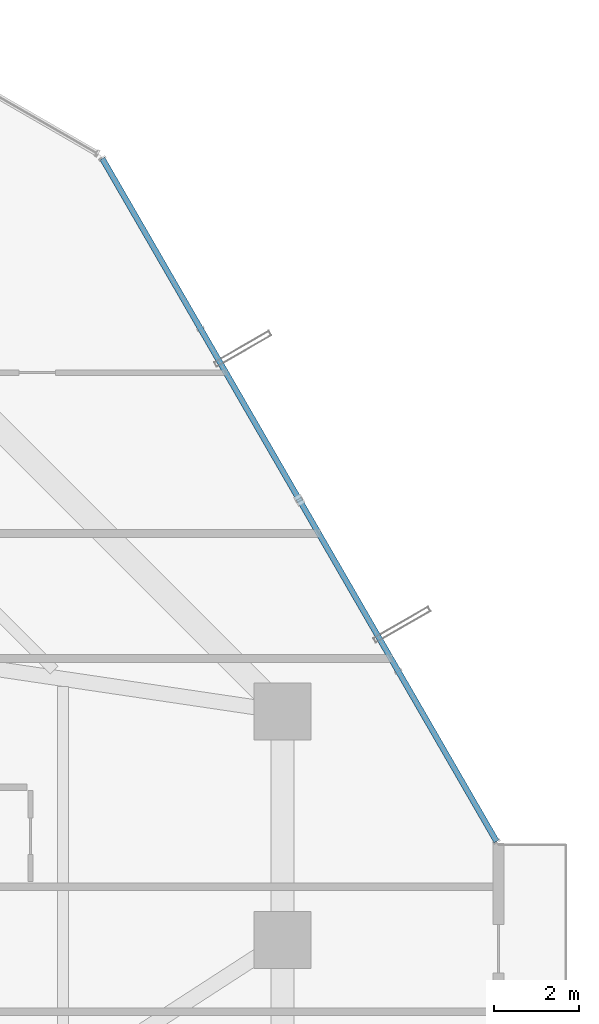
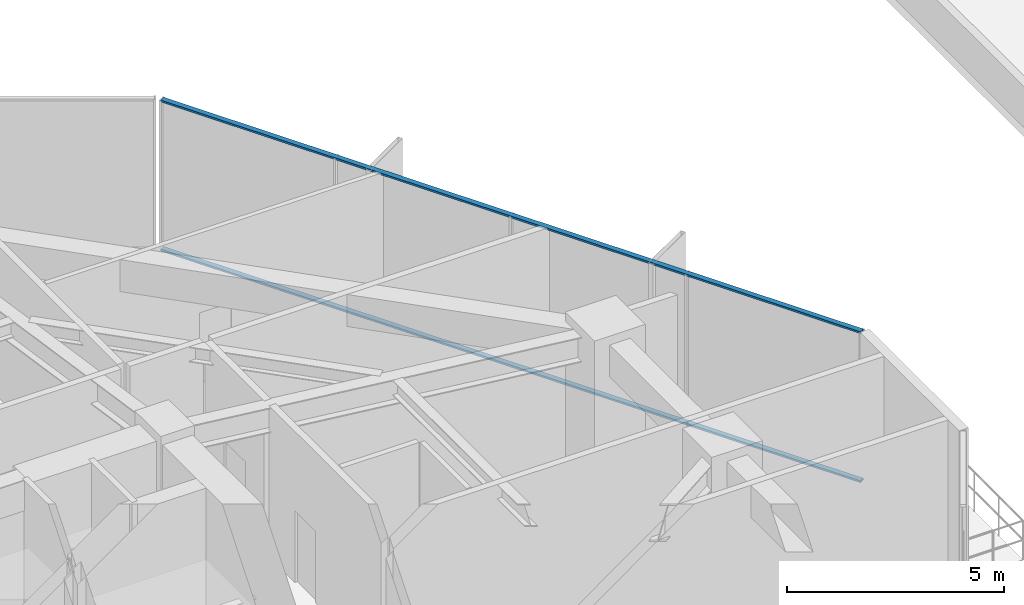
# One storey, part 22 of 39: 2 members, 1 element without a shape of its own.
"""IFC4 building model written with IfcOpenShell, lengths in metres."""

from ifc_helpers import new_model, si_unit, direction, frame, origin, origin_2d, place, context, subcontext, project, spatial, hollow_rectangle, extrude, source, transform, mapped, material, layer, layer_set, material_profile, profile_set, type_object, element, aggregate, save


model = new_model("IFC4")

# Units and contexts
model_context = context("Model", 3, precision=1e-05, world=origin(), true_north=direction((0.0, 1.0)))
body_context = subcontext(model_context, "Body", "Model", "MODEL_VIEW")
ifc_project = project(units=[si_unit("LENGTHUNIT", "METRE"), si_unit("AREAUNIT", "SQUARE_METRE"), si_unit("VOLUMEUNIT", "CUBIC_METRE"), si_unit("PLANEANGLEUNIT", "RADIAN"), si_unit("MASSUNIT", "GRAM", prefix="KILO")], contexts=[model_context])

# Site, building, storey
site_placement = place(None, origin())
site = spatial("IfcSite", under=ifc_project, at=site_placement, CompositionType="ELEMENT")
building_placement = place(site_placement, origin())
building = spatial("IfcBuilding", under=site, at=building_placement, Name="Veraguas Prism Commons", CompositionType="ELEMENT")
storey_placement = place(building_placement, frame((0.0, 0.0, 22.800048828125)))
storey = spatial("IfcBuildingStorey", under=building, at=storey_placement, Name="L05", CompositionType="ELEMENT", Elevation=22.800048828125)

# Curtain wall, members
ifc_material = material(Name="Anodised aluminium EN AW-6063 T6", Category="aluminium")
ifc_layer = layer(ifc_material, 0.169921875, Name="Unitised Flush Curtain Wall Zone 1", Category="aluminium")
ifc_layer_set = layer_set([ifc_layer], Name="Anodised aluminium EN AW-6063 T6")
curtain_wall_type = type_object("IfcCurtainWallType", Name="Unitised Flush Curtain Wall Zone 1", PredefinedType="NOTDEFINED", material=ifc_layer_set)
curtain_wall_placement = place(storey_placement, origin())
curtain_wall = element("IfcCurtainWall", 1, at=curtain_wall_placement, inside=storey, type_object=curtain_wall_type, Name="Tower Facade Curtain Wall L05-F1", PredefinedType="NOTDEFINED")
ifc_material_profile = material_profile(ifc_material, hollow_rectangle(XDim=0.054931640625, YDim=0.135009765625, WallThickness=0.0029296875, at=origin_2d()), Name="AL55X135X3")
ifc_profile_set = profile_set([ifc_material_profile], Name="Anodised aluminium EN AW-6063 T6")
member_type = type_object("IfcMemberType", Name="Curtain Wall Transom Standard AL 55x135x3", PredefinedType="USERDEFINED", material=ifc_profile_set)
shared_shape = source(origin(), body_context, "Body", "SweptSolid", [
    extrude(hollow_rectangle(XDim=0.054931640625, YDim=0.135009765625, WallThickness=0.0029296875, at=origin_2d()), origin(), (0.0, 0.0, 1.0), 18.623779296875),
])
member_1_placement = place(storey_placement, frame((46.656005859375, 26.327880859375, 0.02734375), z_axis=(-0.500005006005, 0.866022513547, 0.0), x_axis=(0.0, 0.0, 1.0)))
member_1 = element("IfcMember", 2, at=member_1_placement, type_object=member_type, Name="CW-Z1 Transom 1", ObjectType="TRANSOM", PredefinedType="USERDEFINED", context=body_context, shape_type="MappedRepresentation", body=[
    mapped(shared_shape, transform((0.0, 0.0, 0.0), scale=1.0)),
])
member_2_placement = place(storey_placement, frame((46.656005859375, 26.327880859375, 4.222412109375), z_axis=(-0.500005006005, 0.866022513547, 0.0), x_axis=(0.0, 0.0, 1.0)))
member_2 = element("IfcMember", 3, at=member_2_placement, type_object=member_type, Name="CW-Z1 Transom 2", ObjectType="TRANSOM", PredefinedType="USERDEFINED", context=body_context, shape_type="MappedRepresentation", body=[
    mapped(shared_shape, transform((0.0, 0.0, 0.0), scale=1.0)),
])
aggregate(curtain_wall, [member_1, member_2])

save(model, "model.ifc")
